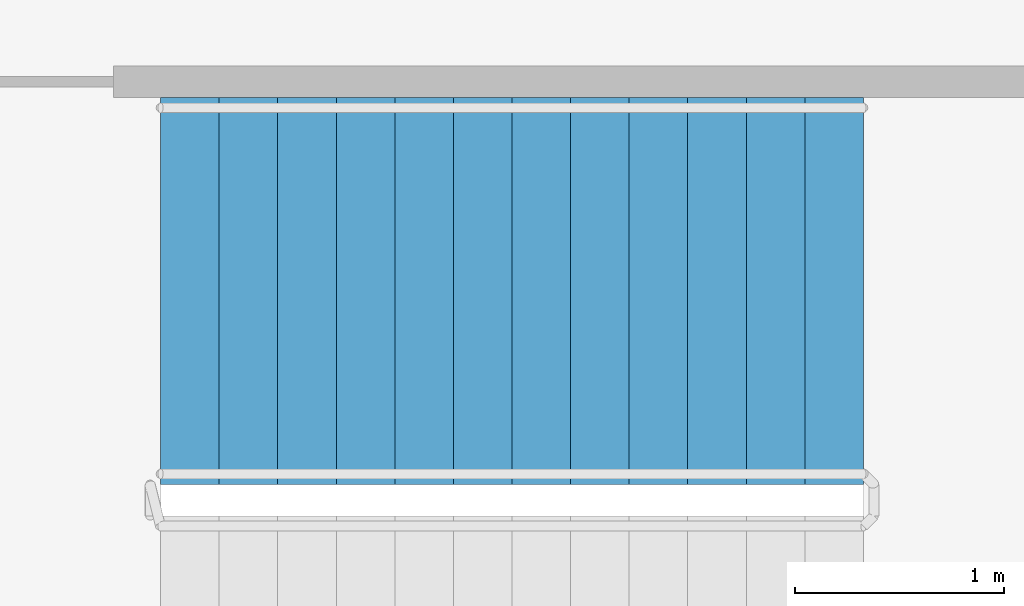
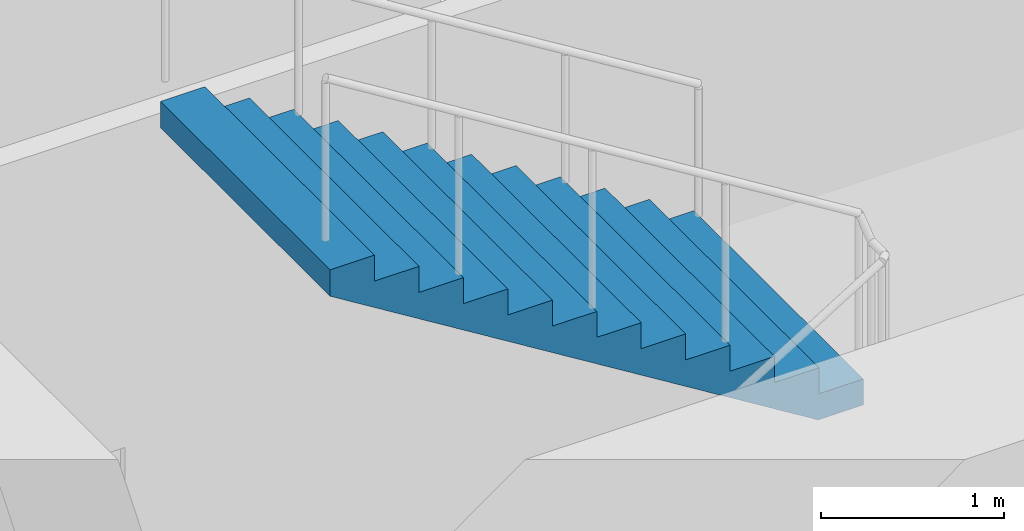
# One storey, part 16 of 21: 1 stair flight, 1 element without a shape of its own.
"""IFC4 building model written with IfcOpenShell, lengths in metres."""

from ifc_helpers import new_model, si_unit, direction, frame, origin, place, context, subcontext, project, spatial, polyline, outline, extrude, material, type_object, element, aggregate, save


model = new_model("IFC4")

# Units and contexts
model_context = context("Model", 3, precision=1e-05, world=origin(), true_north=direction((0.0, 1.0)))
body_context = subcontext(model_context, "Body", "Model", "MODEL_VIEW")
ifc_project = project(units=[si_unit("LENGTHUNIT", "METRE"), si_unit("AREAUNIT", "SQUARE_METRE"), si_unit("VOLUMEUNIT", "CUBIC_METRE"), si_unit("PLANEANGLEUNIT", "RADIAN"), si_unit("MASSUNIT", "GRAM", prefix="KILO")], contexts=[model_context])

# Site, building, storey
site_placement = place(None, origin())
site = spatial("IfcSite", under=ifc_project, at=site_placement, CompositionType="ELEMENT")
building_placement = place(site_placement, origin())
building = spatial("IfcBuilding", under=site, at=building_placement, Name="Zellij Exchange Tower", CompositionType="ELEMENT")
storey_placement = place(building_placement, frame((0.0, 0.0, 43.5)))
storey = spatial("IfcBuildingStorey", under=building, at=storey_placement, Name="L07", CompositionType="ELEMENT", Elevation=43.5)

# Stair, stair flight
ifc_material = material(Name="Concrete C40/50", Category="concrete")
stair_type = type_object("IfcStairType", Name="CORE-ST exit stair 1850 wide", PredefinedType="HALF_TURN_STAIR", material=ifc_material)
stair_placement = place(storey_placement, origin())
stair = element("IfcStair", 1, at=stair_placement, inside=storey, type_object=stair_type, Name="L07 exit stair ST4", PredefinedType="HALF_TURN_STAIR")
stair_flight_type = type_object("IfcStairFlightType", Name="CORE-SF flight 1850 riser 173.1 going 280", PredefinedType="STRAIGHT", material=ifc_material)
stair_flight_placement = place(storey_placement, frame((23.510009765625, -9.875, 2.25), z_axis=(0.0, 0.0, 1.0), x_axis=(-1.0, 0.0, 0.0)))
stair_flight = element("IfcStairFlight", 2, at=stair_flight_placement, type_object=stair_flight_type, Name="ST4 flight 2", NumberOfRisers=13, NumberOfTreads=12, PredefinedType="STRAIGHT", RiserHeight=0.173076923, TreadLength=0.28, context=body_context, shape_type="SweptSolid", body=[
    extrude(outline(polyline([(0.0, 0.0), (0.0, 0.173095703125), (0.280029296875, 0.173095703125), (0.280029296875, 0.34619140625), (0.56005859375, 0.34619140625), (0.56005859375, 0.519287109375), (0.840087890625, 0.519287109375), (0.840087890625, 0.6923828125), (1.1201171875, 0.6923828125), (1.1201171875, 0.865478515625), (1.39990234375, 0.865478515625), (1.39990234375, 1.03857421875), (1.679931640625, 1.03857421875), (1.679931640625, 1.21142578125), (1.9599609375, 1.21142578125), (1.9599609375, 1.384521484375), (2.239990234375, 1.384521484375), (2.239990234375, 1.5576171875), (2.52001953125, 1.5576171875), (2.52001953125, 1.730712890625), (2.800048828125, 1.730712890625), (2.800048828125, 1.90380859375), (3.080078125, 1.90380859375), (3.080078125, 2.076904296875), (3.360107421875, 2.076904296875), (3.360107421875, 2.25), (3.360107421875, 1.900634765625), (0.28515625, 0.0), (0.0, 0.0)])), frame((0.0, 0.925048828125, 0.0), z_axis=(0.0, -1.0, 0.0), x_axis=(1.0, 0.0, 0.0)), (0.0, 0.0, 1.0), 1.85009765625),
])
aggregate(stair, [stair_flight])

save(model, "model.ifc")
